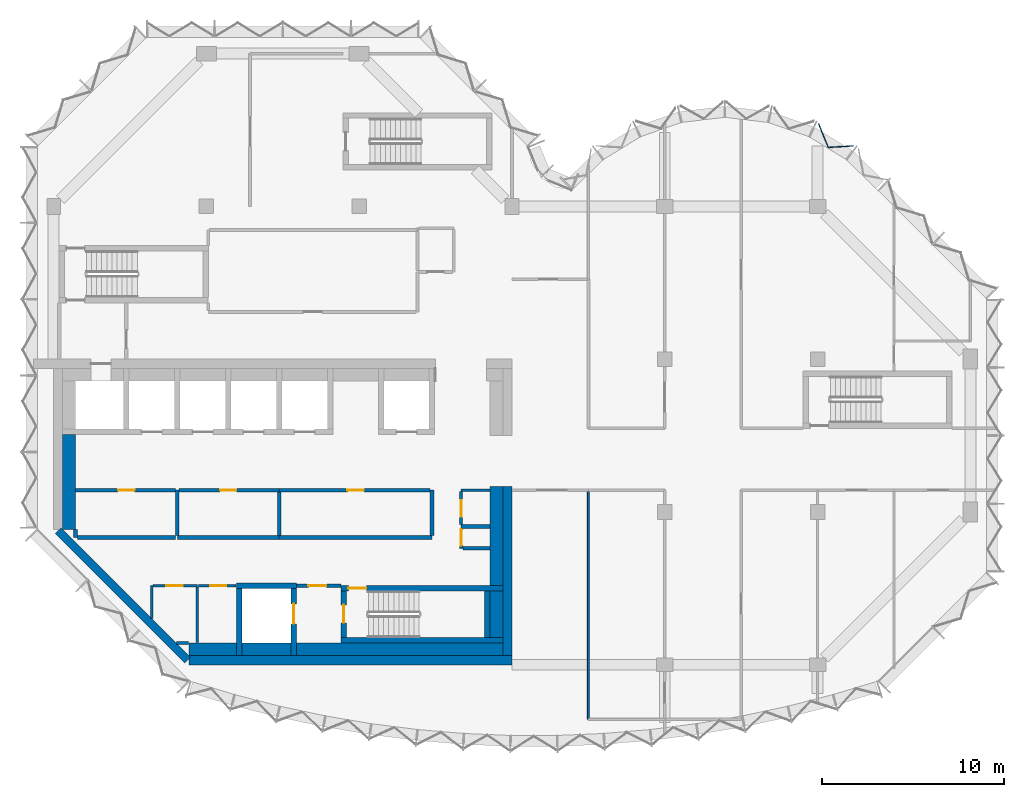
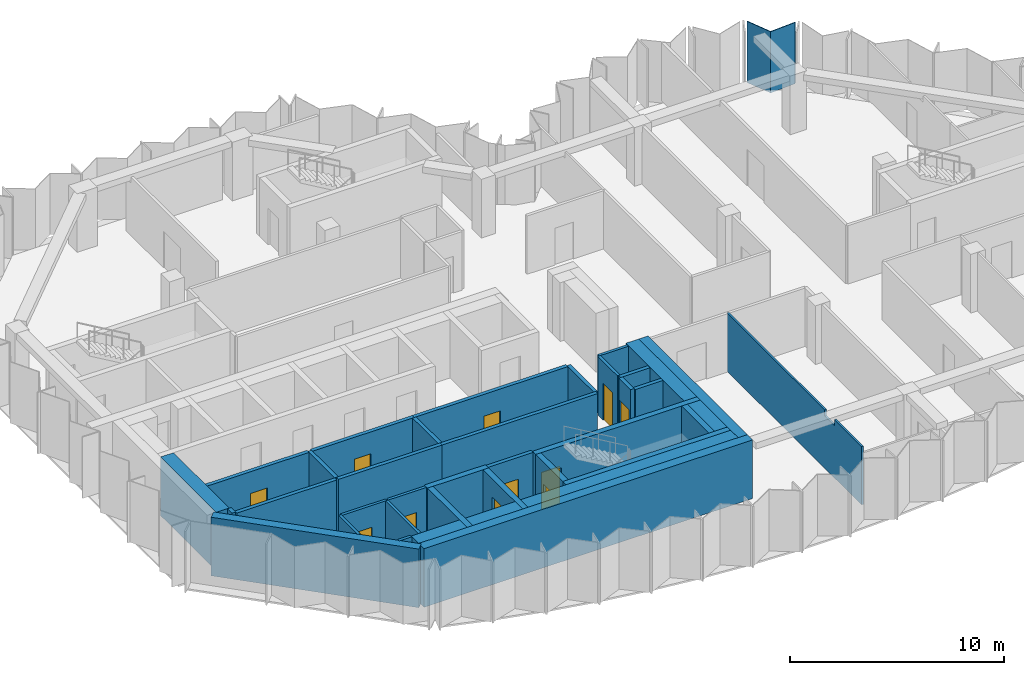
# One storey, part 4 of 9: 38 walls, 11 doors, 1 plate, 11 openings, 1 element without a shape of its own.
"""IFC4 building model written with IfcOpenShell, lengths in metres."""

import ifcopenshell
import ifcopenshell.guid

model = None  # the IFC model being written
_history = None  # IfcOwnerHistory: only IFC2X3 demands one
_inside = {}  # id of a spatial element -> (the spatial element, [elements in it])
_under = {}  # id of a project, library or spatial element -> (it, [spatial elements below it])
_declared = {}  # id of a project -> (the project, [libraries it declares])
_typed = {}  # id of a type object -> (the type object, [elements of that type])
_made_of = {}  # id of a material, layer set ... -> (it, [elements and type objects made of it])


def new_model(schema):
    """Start an empty IFC model of exactly this schema.

    Asked for "IFC4X3", IfcOpenShell would pick the latest addendum, in which some entities
    have other attributes; the version numbers below select the first issue.
    IFC2X3 requires an IfcOwnerHistory on every rooted entity: one is made here for all.
    """
    global model, _history
    if schema == "IFC4X3":
        model = ifcopenshell.file(schema_version=(4, 3, 0, 0))
    else:
        model = ifcopenshell.file(schema=schema)
    _inside.clear()
    _under.clear()
    _declared.clear()
    _typed.clear()
    _made_of.clear()
    _history = None
    if model.schema == "IFC2X3":
        org = make("IfcOrganization", Name="unknown")
        user = make(
            "IfcPersonAndOrganization",
            ThePerson=make("IfcPerson", FamilyName="unknown"),
            TheOrganization=org,
        )
        app = make(
            "IfcApplication",
            ApplicationDeveloper=org,
            Version="unknown",
            ApplicationFullName="unknown",
            ApplicationIdentifier="unknown",
        )
        _history = make(
            "IfcOwnerHistory",
            OwningUser=user,
            OwningApplication=app,
            ChangeAction="ADDED",
            CreationDate=0,
        )
    return model


def make(cls, **values):
    """One entity of the class cls with the attributes given. An attribute that is None is left unset."""
    return model.create_entity(
        cls, **{name: value for name, value in values.items() if value is not None}
    )


def rooted(cls, **values):
    """An entity with a GlobalId (a new one), such as an element, a storey or a relation."""
    return make(cls, GlobalId=ifcopenshell.guid.new(), OwnerHistory=_history, **values)


def si_unit(unit_type, name, prefix=None):
    """IfcSIUnit, for example si_unit("LENGTHUNIT", "METRE", prefix="MILLI")."""
    return make("IfcSIUnit", UnitType=unit_type, Prefix=prefix, Name=name)


def assignment(units):
    """IfcUnitAssignment: the units of a project."""
    return None if units is None else make("IfcUnitAssignment", Units=units)


def point(xyz):
    """IfcCartesianPoint."""
    return None if xyz is None else make("IfcCartesianPoint", Coordinates=xyz)


def direction(xyz):
    """IfcDirection."""
    return None if xyz is None else make("IfcDirection", DirectionRatios=xyz)


def frame(location, z_axis=None, x_axis=None):
    """IfcAxis2Placement3D, a coordinate frame: its origin and axes. An axis left out is left unset."""
    return make(
        "IfcAxis2Placement3D",
        Location=point(location),
        Axis=direction(z_axis),
        RefDirection=direction(x_axis),
    )


def frame_2d(location, x_axis=None):
    """IfcAxis2Placement2D, a coordinate frame in the plane: its origin and x axis."""
    return make(
        "IfcAxis2Placement2D", Location=point(location), RefDirection=direction(x_axis)
    )


def origin():
    """The frame at (0, 0, 0) with its axes left unset."""
    return frame((0.0, 0.0, 0.0))


def place(relative_to, where):
    """IfcLocalPlacement: puts the frame where relative to a parent placement (None: the world)."""
    return make(
        "IfcLocalPlacement", PlacementRelTo=relative_to, RelativePlacement=where
    )


def context(
    kind, dimensions, precision=None, world=None, true_north=None, identifier=None
):
    """IfcGeometricRepresentationContext, for example the 3D "Model" context."""
    return make(
        "IfcGeometricRepresentationContext",
        ContextIdentifier=identifier,
        ContextType=kind,
        CoordinateSpaceDimension=dimensions,
        Precision=precision,
        WorldCoordinateSystem=world,
        TrueNorth=true_north,
    )


def subcontext(parent, identifier, kind, view, scale=None):
    """IfcGeometricRepresentationSubContext, for example "Body" below "Model"."""
    return make(
        "IfcGeometricRepresentationSubContext",
        ContextIdentifier=identifier,
        ContextType=kind,
        ParentContext=parent,
        TargetScale=scale,
        TargetView=view,
    )


def project(units=None, contexts=None):
    """IfcProject with its units and contexts."""
    return rooted(
        "IfcProject",
        Name="project",
        RepresentationContexts=contexts,
        UnitsInContext=assignment(units),
    )


def spatial(cls, under=None, at=None, **own):
    """A site, building, storey or space (cls), placed at a placement, below another one or the project."""
    s = rooted(cls, ObjectPlacement=at, **own)
    if under is not None:
        _under.setdefault(under.id(), (under, []))[1].append(s)
    return s


def polyline(points):
    """IfcPolyline through the points."""
    return make("IfcPolyline", Points=[point(p) for p in points])


def profile(cls, at=None, kind="AREA", **sizes):
    """A parametric profile (cls). Its sizes go by their IFC names, for example OverallWidth=200.0."""
    return make(cls, ProfileType=kind, Position=at, **sizes)


def rectangle(**sizes):
    """IfcRectangleProfileDef."""
    return profile("IfcRectangleProfileDef", **sizes)


def outline(outer, holes=None, kind="AREA"):
    """IfcArbitraryClosedProfileDef: a profile drawn as a closed curve; with holes, ...WithVoids."""
    if holes is None:
        return make("IfcArbitraryClosedProfileDef", ProfileType=kind, OuterCurve=outer)
    return make(
        "IfcArbitraryProfileDefWithVoids",
        ProfileType=kind,
        OuterCurve=outer,
        InnerCurves=holes,
    )


def extrude(swept, where, along, depth):
    """IfcExtrudedAreaSolid: the profile swept, set in the frame where, extruded along a direction by depth."""
    return make(
        "IfcExtrudedAreaSolid",
        SweptArea=swept,
        Position=where,
        ExtrudedDirection=direction(along),
        Depth=depth,
    )


def shape(context_of_items, identifier, shape_type, items):
    """IfcShapeRepresentation: the items that make up one representation, for example the "Body"."""
    return make(
        "IfcShapeRepresentation",
        ContextOfItems=context_of_items,
        RepresentationIdentifier=identifier,
        RepresentationType=shape_type,
        Items=items,
    )


def material(Name=None, Category=None):
    """IfcMaterial."""
    return make("IfcMaterial", Name=Name, Category=Category)


def layer(
    of_material, thickness, ventilated=None, Name=None, Category=None, Priority=None
):
    """IfcMaterialLayer: one layer of a wall or slab, of a material (None: an air gap)."""
    return make(
        "IfcMaterialLayer",
        Material=of_material,
        LayerThickness=thickness,
        IsVentilated=ventilated,
        Name=Name,
        Category=Category,
        Priority=Priority,
    )


def layer_set(layers, Name=None):
    """IfcMaterialLayerSet."""
    return make("IfcMaterialLayerSet", MaterialLayers=layers, LayerSetName=Name)


def made_of(thing, what):
    """Note that an element or type object is made of a material, layer set ...; save() writes the relation."""
    if what is not None:
        _made_of.setdefault(what.id(), (what, []))[1].append(thing)
    return thing


def type_object(cls, material=None, **own):
    """A type object (cls), such as IfcWallType, which elements share."""
    return made_of(rooted(cls, **own), material)


def element(
    cls,
    number,
    at=None,
    inside=None,
    cuts=None,
    type_object=None,
    material=None,
    context=None,
    identifier="Body",
    shape_type=None,
    held_by="IfcProductDefinitionShape",
    body=None,
    shapes=None,
    **own,
):
    """One element of the class cls, such as IfcWall. Its Tag is "e" and its number.

    at: its placement. inside: the storey or other place that contains it. cuts: it is an
    opening in that element (IfcRelVoidsElement). A single representation is given by context,
    identifier, shape_type and body (its items); several are given by shapes. held_by: the class
    of the entity that holds the representations. save() writes the other relations.
    """
    e = rooted(cls, Tag="e%d" % number, ObjectPlacement=at, **own)
    if body is not None:
        shapes = [shape(context, identifier, shape_type, body)]
    if shapes is not None:
        e.Representation = make(held_by, Representations=shapes)
    if inside is not None:
        _inside.setdefault(inside.id(), (inside, []))[1].append(e)
    if cuts is not None:
        rooted(
            "IfcRelVoidsElement", RelatingBuildingElement=cuts, RelatedOpeningElement=e
        )
    if type_object is not None:
        _typed.setdefault(type_object.id(), (type_object, []))[1].append(e)
    return made_of(e, material)


def fill(opening, filler):
    """IfcRelFillsElement: the door or window that sits in an opening."""
    return rooted(
        "IfcRelFillsElement",
        RelatingOpeningElement=opening,
        RelatedBuildingElement=filler,
    )


def aggregate(whole, parts):
    """IfcRelAggregates: a whole, such as a stair, and the parts it consists of."""
    return rooted("IfcRelAggregates", RelatingObject=whole, RelatedObjects=parts)


def save(model, path):
    """Write the relations noted so far, then the file.

    IfcRelAggregates (storeys below a building ...), IfcRelContainedInSpatialStructure (elements
    in a storey), IfcRelDefinesByType, IfcRelAssociatesMaterial and IfcRelDeclares: one each for
    every whole, place, type object, material and project.
    """
    for whole, parts in _under.values():
        aggregate(whole, parts)
    for where, things in _inside.values():
        rooted(
            "IfcRelContainedInSpatialStructure",
            RelatedElements=things,
            RelatingStructure=where,
        )
    for kind, things in _typed.values():
        rooted("IfcRelDefinesByType", RelatedObjects=things, RelatingType=kind)
    for what, things in _made_of.values():
        rooted("IfcRelAssociatesMaterial", RelatedObjects=things, RelatingMaterial=what)
    for by, libraries in _declared.values():
        rooted("IfcRelDeclares", RelatingContext=by, RelatedDefinitions=libraries)
    model.write(path)


model = new_model("IFC4")

# Units and contexts
model_context = context("Model", 3, precision=1e-05, world=origin(), true_north=direction((0.0, 1.0)))
body_context = subcontext(model_context, "Body", "Model", "MODEL_VIEW")
ifc_project = project(units=[si_unit("LENGTHUNIT", "METRE"), si_unit("AREAUNIT", "SQUARE_METRE"), si_unit("VOLUMEUNIT", "CUBIC_METRE"), si_unit("PLANEANGLEUNIT", "RADIAN"), si_unit("MASSUNIT", "GRAM", prefix="KILO")], contexts=[model_context])

# Site, building, storey
site_placement = place(None, origin())
site = spatial("IfcSite", under=ifc_project, at=site_placement, CompositionType="ELEMENT")
building_placement = place(site_placement, origin())
building = spatial("IfcBuilding", under=site, at=building_placement, Name="Brevane Broadcast Tower", CompositionType="ELEMENT")
storey_placement = place(building_placement, frame((0.0, 0.0, 215.699951171875)))
storey = spatial("IfcBuildingStorey", under=building, at=storey_placement, Name="L54", CompositionType="ELEMENT", Elevation=215.699951171875)

# Curtain wall, plate
ifc_material_1 = material(Name="Aluminium 6063-T6 bronze anodised", Category="aluminium")
curtain_wall_type = type_object("IfcCurtainWallType", Name="CW-1 curtain wall", PredefinedType="NOTDEFINED", material=ifc_material_1)
curtain_wall_placement = place(storey_placement, origin())
curtain_wall = element("IfcCurtainWall", 1, at=curtain_wall_placement, inside=storey, type_object=curtain_wall_type, Name="CW-1 typical tilted unit L54 east bow", PredefinedType="NOTDEFINED")
ifc_material_2 = material(Name="Laminated glass bronze-tinted", Category="glass")
ifc_layer_1 = layer(ifc_material_2, 0.0400390625)
ifc_layer_set_1 = layer_set([ifc_layer_1], Name="CW tall glass panel 40")
plate_type = type_object("IfcPlateType", Name="CW tall glass panel 40", PredefinedType="CURTAIN_PANEL", material=ifc_layer_set_1)
plate_placement = place(storey_placement, frame((0.0, 0.0, -0.14990234375)))
plate = element("IfcPlate", 2, at=plate_placement, type_object=plate_type, Name="CW-1 glass panel", PredefinedType="CURTAIN_PANEL", context=body_context, shape_type="SweptSolid", body=[
    extrude(outline(polyline([(43.950439453125, 28.5087890625), (43.9833984375, 28.551025390625), (42.601318359375, 28.462890625), (42.0703125, 29.76171875), (42.046875, 29.712890625), (42.5751953125, 28.42138671875), (43.950439453125, 28.5087890625)])), origin(), (0.0, 0.0, 1.0), 3.5),
])
aggregate(curtain_wall, [plate])

# Walls
ifc_material_3 = material(Name="Concrete C32/40", Category="concrete")
ifc_layer_2 = layer(ifc_material_3, 0.699951171875)
ifc_layer_set_2 = layer_set([ifc_layer_2], Name="Core chase wall 700 mm")
wall_type_1 = type_object("IfcWallType", Name="Core chase wall 700 mm", PredefinedType="PARTITIONING", material=ifc_layer_set_2)
wall_1_placement = place(storey_placement, frame((0.85009765625, 7.436279296875, 0.0), z_axis=(0.0, 0.0, 1.0), x_axis=(0.0, 1.0, 0.0)))
element("IfcWall", 3, at=wall_1_placement, inside=storey, type_object=wall_type_1, Name="L54 chase wall LW-1", PredefinedType="PARTITIONING", context=body_context, shape_type="SweptSolid", body=[
    extrude(rectangle(XDim=5.213623046875, YDim=0.699951171875, at=frame_2d((2.60693359375, 0.0))), origin(), (0.0, 0.0, 1.0), 3.35009765625),
])
wall_2_placement = place(storey_placement, frame((7.436279296875, 0.85009765625, 0.0), z_axis=(0.0, 0.0, 1.0), x_axis=(1.0, 0.0, 0.0)))
element("IfcWall", 4, at=wall_2_placement, inside=storey, type_object=wall_type_1, Name="L54 chase wall LS-1", PredefinedType="PARTITIONING", context=body_context, shape_type="SweptSolid", body=[
    extrude(rectangle(XDim=2.61376953125, YDim=0.699951171875, at=frame_2d((1.306884765625, 0.0))), origin(), (0.0, 0.0, 1.0), 3.35009765625),
])
wall_3_placement = place(storey_placement, frame((10.35009765625, 0.85009765625, 0.0), z_axis=(0.0, 0.0, 1.0), x_axis=(1.0, 0.0, 0.0)))
element("IfcWall", 5, at=wall_3_placement, inside=storey, type_object=wall_type_1, Name="L54 chase wall LS-2-1", PredefinedType="PARTITIONING", context=body_context, shape_type="SweptSolid", body=[
    extrude(rectangle(XDim=2.699951171875, YDim=0.699951171875, at=frame_2d((1.35009765625, 0.0))), origin(), (0.0, 0.0, 1.0), 3.35009765625),
])
wall_4_placement = place(storey_placement, frame((13.35009765625, 0.85009765625, 0.0), z_axis=(0.0, 0.0, 1.0), x_axis=(1.0, 0.0, 0.0)))
element("IfcWall", 6, at=wall_4_placement, inside=storey, type_object=wall_type_1, Name="L54 chase wall LS-2-2", PredefinedType="PARTITIONING", context=body_context, shape_type="SweptSolid", body=[
    extrude(rectangle(XDim=11.349853515625, YDim=0.699951171875, at=frame_2d((5.6748046875, 0.0))), origin(), (0.0, 0.0, 1.0), 3.35009765625),
])
wall_5_placement = place(storey_placement, frame((24.35009765625, 1.5, 0.0), z_axis=(0.0, 0.0, 1.0), x_axis=(0.0, 1.0, 0.0)))
element("IfcWall", 7, at=wall_5_placement, inside=storey, type_object=wall_type_1, Name="L54 chase wall LE1-2-1", PredefinedType="PARTITIONING", context=body_context, shape_type="SweptSolid", body=[
    extrude(rectangle(XDim=2.550048828125, YDim=0.699951171875, at=frame_2d((1.27490234375, 0.0))), origin(), (0.0, 0.0, 1.0), 3.35009765625),
])
wall_6_placement = place(storey_placement, frame((24.35009765625, 4.35009765625, 0.0), z_axis=(0.0, 0.0, 1.0), x_axis=(0.0, 1.0, 0.0)))
element("IfcWall", 8, at=wall_6_placement, inside=storey, type_object=wall_type_1, Name="L54 chase wall LE1-2-2", PredefinedType="PARTITIONING", context=body_context, shape_type="SweptSolid", body=[
    extrude(rectangle(XDim=5.449951171875, YDim=0.699951171875, at=frame_2d((2.72509765625, 0.0))), origin(), (0.0, 0.0, 1.0), 3.35009765625),
])
ifc_material_4 = material(Name="Gypsum board on steel studs", Category="steel")
ifc_layer_3 = layer(ifc_material_4, 0.14990234375)
ifc_layer_set_3 = layer_set([ifc_layer_3], Name="Core fire partition 150 mm")
wall_type_2 = type_object("IfcWallType", Name="Core fire partition 150 mm", PredefinedType="PARTITIONING", material=ifc_layer_set_3)
wall_7_placement = place(storey_placement, frame((5.39990234375, 2.553466796875, 0.0), z_axis=(0.0, 0.0, 1.0), x_axis=(0.0, 1.0, 0.0)))
element("IfcWall", 9, at=wall_7_placement, inside=storey, type_object=wall_type_2, Name="L54 partition wall P17", PredefinedType="PARTITIONING", context=body_context, shape_type="SweptSolid", body=[
    extrude(rectangle(XDim=1.796630859375, YDim=0.14990234375, at=frame_2d((0.8984375, 0.0))), origin(), (0.0, 0.0, 1.0), 3.35009765625),
])

# Wall, opening, door
wall_8_placement = place(storey_placement, frame((5.47509765625, 4.35009765625, 0.0), z_axis=(0.0, 0.0, 1.0), x_axis=(1.0, 0.0, 0.0)))
wall_8 = element("IfcWall", 10, at=wall_8_placement, inside=storey, type_object=wall_type_2, Name="L54 partition wall P18", PredefinedType="PARTITIONING", context=body_context, shape_type="SweptSolid", body=[
    extrude(rectangle(XDim=2.4248046875, YDim=0.14990234375, at=frame_2d((1.21240234375, 0.0))), origin(), (0.0, 0.0, 1.0), 3.35009765625),
])
opening_1_placement = place(wall_8_placement, frame((0.72509765625, 0.0, 0.0)))
opening_1 = element("IfcOpeningElement", 11, at=opening_1_placement, cuts=wall_8, Name="Opening L54-K14", PredefinedType="OPENING", context=body_context, shape_type="SweptSolid", body=[
    extrude(rectangle(XDim=0.89990234375, YDim=2.10009765625, at=frame_2d((0.449951171875, 1.050048828125))), frame((0.0, 0.0849609375, 0.0), z_axis=(0.0, -1.0, 0.0), x_axis=(1.0, 0.0, 0.0)), (0.0, 0.0, 1.0), 0.169921875),
])
ifc_material_5 = material(Name="Timber", Category="wood")
door_type_1 = type_object("IfcDoorType", Name="Toilet door 900 x 2100", OperationType="SINGLE_SWING_LEFT", PredefinedType="DOOR", material=ifc_material_5)
door_1_placement = place(opening_1_placement, origin())
door_1 = element("IfcDoor", 12, at=door_1_placement, inside=storey, type_object=door_type_1, Name="Door L54-K14", OperationType="SINGLE_SWING_LEFT", OverallHeight=2.10009765625, OverallWidth=0.89990234375, PredefinedType="DOOR", context=body_context, shape_type="SweptSolid", body=[
    extrude(rectangle(XDim=0.89990234375, YDim=2.10009765625, at=frame_2d((0.449951171875, 1.050048828125))), frame((0.0, 0.02490234375, 0.0), z_axis=(0.0, -1.0, 0.0), x_axis=(1.0, 0.0, 0.0)), (0.0, 0.0, 1.0), 0.050048828125),
])
fill(opening_1, door_1)

# Walls
wall_9_placement = place(storey_placement, frame((7.89990234375, 4.27490234375, 0.0), z_axis=(0.0, 0.0, 1.0), x_axis=(0.0, -1.0, 0.0)))
element("IfcWall", 13, at=wall_9_placement, inside=storey, type_object=wall_type_2, Name="L54 partition wall P19", PredefinedType="PARTITIONING", context=body_context, shape_type="SweptSolid", body=[
    extrude(rectangle(XDim=3.06298828125, YDim=0.14990234375, at=frame_2d((1.531494140625, 0.0))), origin(), (0.0, 0.0, 1.0), 3.35009765625),
])
wall_10_placement = place(storey_placement, frame((7.42431640625, 1.199951171875, 0.0), z_axis=(0.0, 0.0, 1.0), x_axis=(-1.0, 0.0, 0.0)))
element("IfcWall", 14, at=wall_10_placement, inside=storey, type_object=wall_type_2, Name="L54 partition wall P20", PredefinedType="PARTITIONING", context=body_context, shape_type="SweptSolid", body=[
    extrude(rectangle(XDim=0.6708984375, YDim=0.14990234375, at=frame_2d((0.33544921875, 0.0))), origin(), (0.0, 0.0, 1.0), 3.35009765625),
])

# Wall, opening, door
wall_11_placement = place(storey_placement, frame((10.0380859375, 4.35009765625, 0.0), z_axis=(0.0, 0.0, 1.0), x_axis=(-1.0, 0.0, 0.0)))
wall_11 = element("IfcWall", 15, at=wall_11_placement, inside=storey, type_object=wall_type_2, Name="L54 partition wall P21", PredefinedType="PARTITIONING", context=body_context, shape_type="SweptSolid", body=[
    extrude(rectangle(XDim=2.06298828125, YDim=0.14990234375, at=frame_2d((1.031494140625, 0.0))), origin(), (0.0, 0.0, 1.0), 3.35009765625),
])
opening_2_placement = place(wall_11_placement, frame((0.5380859375, 0.0, 0.0)))
opening_2 = element("IfcOpeningElement", 16, at=opening_2_placement, cuts=wall_11, Name="Opening L54-K15", PredefinedType="OPENING", context=body_context, shape_type="SweptSolid", body=[
    extrude(rectangle(XDim=0.89990234375, YDim=2.10009765625, at=frame_2d((0.449951171875, 1.050048828125))), frame((0.0, 0.0849609375, 0.0), z_axis=(0.0, -1.0, 0.0), x_axis=(1.0, 0.0, 0.0)), (0.0, 0.0, 1.0), 0.169921875),
])
door_2_placement = place(opening_2_placement, origin())
door_2 = element("IfcDoor", 17, at=door_2_placement, inside=storey, type_object=door_type_1, Name="Door L54-K15", OperationType="SINGLE_SWING_RIGHT", OverallHeight=2.10009765625, OverallWidth=0.89990234375, PredefinedType="DOOR", context=body_context, shape_type="SweptSolid", body=[
    extrude(rectangle(XDim=0.89990234375, YDim=2.10009765625, at=frame_2d((0.449951171875, 1.050048828125))), frame((0.0, 0.02490234375, 0.0), z_axis=(0.0, -1.0, 0.0), x_axis=(1.0, 0.0, 0.0)), (0.0, 0.0, 1.0), 0.050048828125),
])
fill(opening_2, door_2)

# Wall
wall_12_placement = place(storey_placement, frame((23.988037109375, 9.60009765625, 0.0), z_axis=(0.0, 0.0, 1.0), x_axis=(-1.0, 0.0, 0.0)))
element("IfcWall", 18, at=wall_12_placement, inside=storey, type_object=wall_type_2, Name="L54 partition wall P32", PredefinedType="PARTITIONING", context=body_context, shape_type="SweptSolid", body=[
    extrude(rectangle(XDim=1.588134765625, YDim=0.14990234375, at=frame_2d((0.7939453125, 0.0))), origin(), (0.0, 0.0, 1.0), 3.35009765625),
])

# Wall, opening, door
wall_13_placement = place(storey_placement, frame((22.39990234375, 9.52490234375, 0.0), z_axis=(0.0, 0.0, 1.0), x_axis=(0.0, -1.0, 0.0)))
wall_13 = element("IfcWall", 19, at=wall_13_placement, inside=storey, type_object=wall_type_2, Name="L54 partition wall P33", PredefinedType="PARTITIONING", context=body_context, shape_type="SweptSolid", body=[
    extrude(rectangle(XDim=1.824951171875, YDim=0.14990234375, at=frame_2d((0.91259765625, 0.0))), origin(), (0.0, 0.0, 1.0), 3.35009765625),
])
opening_3_placement = place(wall_13_placement, frame((0.47509765625, 0.0, 0.0)))
opening_3 = element("IfcOpeningElement", 20, at=opening_3_placement, cuts=wall_13, Name="Opening L54-K18", PredefinedType="OPENING", context=body_context, shape_type="SweptSolid", body=[
    extrude(rectangle(XDim=0.89990234375, YDim=2.10009765625, at=frame_2d((0.449951171875, 1.050048828125))), frame((0.0, 0.0849609375, 0.0), z_axis=(0.0, -1.0, 0.0), x_axis=(1.0, 0.0, 0.0)), (0.0, 0.0, 1.0), 0.169921875),
])
ifc_material_6 = material(Name="Steel", Category="steel")
door_type_2 = type_object("IfcDoorType", Name="Service room door 900 x 2100", OperationType="SINGLE_SWING_LEFT", PredefinedType="DOOR", material=ifc_material_6)
door_3_placement = place(opening_3_placement, origin())
door_3 = element("IfcDoor", 21, at=door_3_placement, inside=storey, type_object=door_type_2, Name="Door L54-K18", OperationType="SINGLE_SWING_LEFT", OverallHeight=2.10009765625, OverallWidth=0.89990234375, PredefinedType="DOOR", context=body_context, shape_type="SweptSolid", body=[
    extrude(rectangle(XDim=0.89990234375, YDim=2.10009765625, at=frame_2d((0.449951171875, 1.050048828125))), frame((0.0, 0.02490234375, 0.0), z_axis=(0.0, -1.0, 0.0), x_axis=(1.0, 0.0, 0.0)), (0.0, 0.0, 1.0), 0.050048828125),
])
fill(opening_3, door_3)

ifc_layer_4 = layer(ifc_material_4, 0.199951171875)
ifc_layer_set_4 = layer_set([ifc_layer_4], Name="Core fire partition 200 mm")
wall_type_3 = type_object("IfcWallType", Name="Core fire partition 200 mm", PredefinedType="PARTITIONING", material=ifc_layer_set_4)
wall_14_placement = place(storey_placement, frame((13.362060546875, 4.35009765625, 0.0), z_axis=(0.0, 0.0, 1.0), x_axis=(1.0, 0.0, 0.0)))
wall_14 = element("IfcWall", 22, at=wall_14_placement, inside=storey, type_object=wall_type_3, Name="L54 partition wall P03", PredefinedType="PARTITIONING", context=body_context, shape_type="SweptSolid", body=[
    extrude(rectangle(XDim=2.426025390625, YDim=0.199951171875, at=frame_2d((1.212890625, 0.0))), origin(), (0.0, 0.0, 1.0), 3.35009765625),
])
opening_4_placement = place(wall_14_placement, frame((0.637939453125, 0.0, 0.0)))
opening_4 = element("IfcOpeningElement", 23, at=opening_4_placement, cuts=wall_14, Name="Opening L54-K16", PredefinedType="OPENING", context=body_context, shape_type="SweptSolid", body=[
    extrude(rectangle(XDim=1.0, YDim=2.10009765625, at=frame_2d((0.5, 1.050048828125))), frame((0.0, 0.10986328125, 0.0), z_axis=(0.0, -1.0, 0.0), x_axis=(1.0, 0.0, 0.0)), (0.0, 0.0, 1.0), 0.219970703125),
])
door_type_3 = type_object("IfcDoorType", Name="Stair door 1000 x 2100", OperationType="SINGLE_SWING_LEFT", PredefinedType="DOOR", material=ifc_material_6)
door_4_placement = place(opening_4_placement, origin())
door_4 = element("IfcDoor", 24, at=door_4_placement, inside=storey, type_object=door_type_3, Name="Door L54-K16", OperationType="SINGLE_SWING_LEFT", OverallHeight=2.10009765625, OverallWidth=1.0, PredefinedType="DOOR", context=body_context, shape_type="SweptSolid", body=[
    extrude(rectangle(XDim=1.0, YDim=2.10009765625, at=frame_2d((0.5, 1.050048828125))), frame((0.0, 0.02490234375, 0.0), z_axis=(0.0, -1.0, 0.0), x_axis=(1.0, 0.0, 0.0)), (0.0, 0.0, 1.0), 0.050048828125),
])
fill(opening_4, door_4)

# Walls
wall_15_placement = place(storey_placement, frame((6.800048828125, 7.0, 0.0), z_axis=(0.0, 0.0, 1.0), x_axis=(1.0, 0.0, 0.0)))
element("IfcWall", 25, at=wall_15_placement, inside=storey, type_object=wall_type_3, Name="L54 partition wall P04", PredefinedType="PARTITIONING", context=body_context, shape_type="SweptSolid", body=[
    extrude(rectangle(XDim=5.599853515625, YDim=0.199951171875, at=frame_2d((2.7998046875, 0.0))), origin(), (0.0, 0.0, 1.0), 3.35009765625),
])
wall_16_placement = place(storey_placement, frame((6.800048828125, 9.60009765625, 0.0), z_axis=(0.0, 0.0, 1.0), x_axis=(0.0, -1.0, 0.0)))
element("IfcWall", 26, at=wall_16_placement, inside=storey, type_object=wall_type_3, Name="L54 partition wall P05", PredefinedType="PARTITIONING", context=body_context, shape_type="SweptSolid", body=[
    extrude(rectangle(XDim=2.5, YDim=0.199951171875, at=frame_2d((1.25, 0.0))), origin(), (0.0, 0.0, 1.0), 3.35009765625),
])

# Wall, opening, door
wall_17_placement = place(storey_placement, frame((6.699951171875, 9.60009765625, 0.0), z_axis=(0.0, 0.0, 1.0), x_axis=(-1.0, 0.0, 0.0)))
wall_17 = element("IfcWall", 27, at=wall_17_placement, inside=storey, type_object=wall_type_3, Name="L54 partition wall P06", PredefinedType="PARTITIONING", context=body_context, shape_type="SweptSolid", body=[
    extrude(rectangle(XDim=5.488037109375, YDim=0.199951171875, at=frame_2d((2.744140625, 0.0))), origin(), (0.0, 0.0, 1.0), 3.35009765625),
])
opening_5_placement = place(wall_17_placement, frame((2.25, 0.0, 0.0)))
opening_5 = element("IfcOpeningElement", 28, at=opening_5_placement, cuts=wall_17, Name="Opening L54-K19", PredefinedType="OPENING", context=body_context, shape_type="SweptSolid", body=[
    extrude(rectangle(XDim=0.89990234375, YDim=2.10009765625, at=frame_2d((0.449951171875, 1.050048828125))), frame((0.0, 0.10986328125, 0.0), z_axis=(0.0, -1.0, 0.0), x_axis=(1.0, 0.0, 0.0)), (0.0, 0.0, 1.0), 0.219970703125),
])
door_5_placement = place(opening_5_placement, origin())
door_5 = element("IfcDoor", 29, at=door_5_placement, inside=storey, type_object=door_type_2, Name="Door L54-K19", OperationType="SINGLE_SWING_RIGHT", OverallHeight=2.10009765625, OverallWidth=0.89990234375, PredefinedType="DOOR", context=body_context, shape_type="SweptSolid", body=[
    extrude(rectangle(XDim=0.89990234375, YDim=2.10009765625, at=frame_2d((0.449951171875, 1.050048828125))), frame((0.0, 0.02490234375, 0.0), z_axis=(0.0, -1.0, 0.0), x_axis=(1.0, 0.0, 0.0)), (0.0, 0.0, 1.0), 0.050048828125),
])
fill(opening_5, door_5)

# Walls
wall_18_placement = place(storey_placement, frame((1.199951171875, 7.42431640625, 0.0), z_axis=(0.0, 0.0, 1.0), x_axis=(0.0, -1.0, 0.0)))
element("IfcWall", 30, at=wall_18_placement, inside=storey, type_object=wall_type_3, Name="L54 partition wall P07", PredefinedType="PARTITIONING", context=body_context, shape_type="SweptSolid", body=[
    extrude(rectangle(XDim=0.42431640625, YDim=0.199951171875, at=frame_2d((0.212158203125, 0.0))), origin(), (0.0, 0.0, 1.0), 3.35009765625),
])
wall_19_placement = place(storey_placement, frame((1.300048828125, 7.0, 0.0), z_axis=(0.0, 0.0, 1.0), x_axis=(1.0, 0.0, 0.0)))
element("IfcWall", 31, at=wall_19_placement, inside=storey, type_object=wall_type_3, Name="L54 partition wall P08", PredefinedType="PARTITIONING", context=body_context, shape_type="SweptSolid", body=[
    extrude(rectangle(XDim=5.39990234375, YDim=0.199951171875, at=frame_2d((2.699951171875, 0.0))), origin(), (0.0, 0.0, 1.0), 3.35009765625),
])

# Wall, opening, door
wall_20_placement = place(storey_placement, frame((12.39990234375, 9.60009765625, 0.0), z_axis=(0.0, 0.0, 1.0), x_axis=(-1.0, 0.0, 0.0)))
wall_20 = element("IfcWall", 32, at=wall_20_placement, inside=storey, type_object=wall_type_3, Name="L54 partition wall P09", PredefinedType="PARTITIONING", context=body_context, shape_type="SweptSolid", body=[
    extrude(rectangle(XDim=5.5, YDim=0.199951171875, at=frame_2d((2.75, 0.0))), origin(), (0.0, 0.0, 1.0), 3.35009765625),
])
opening_6_placement = place(wall_20_placement, frame((2.35009765625, 0.0, 0.0)))
opening_6 = element("IfcOpeningElement", 33, at=opening_6_placement, cuts=wall_20, Name="Opening L54-K20", PredefinedType="OPENING", context=body_context, shape_type="SweptSolid", body=[
    extrude(rectangle(XDim=0.89990234375, YDim=2.10009765625, at=frame_2d((0.449951171875, 1.050048828125))), frame((0.0, 0.10986328125, 0.0), z_axis=(0.0, -1.0, 0.0), x_axis=(1.0, 0.0, 0.0)), (0.0, 0.0, 1.0), 0.219970703125),
])
door_6_placement = place(opening_6_placement, origin())
door_6 = element("IfcDoor", 34, at=door_6_placement, inside=storey, type_object=door_type_2, Name="Door L54-K20", OperationType="SINGLE_SWING_LEFT", OverallHeight=2.10009765625, OverallWidth=0.89990234375, PredefinedType="DOOR", context=body_context, shape_type="SweptSolid", body=[
    extrude(rectangle(XDim=0.89990234375, YDim=2.10009765625, at=frame_2d((0.449951171875, 1.050048828125))), frame((0.0, 0.02490234375, 0.0), z_axis=(0.0, -1.0, 0.0), x_axis=(1.0, 0.0, 0.0)), (0.0, 0.0, 1.0), 0.050048828125),
])
fill(opening_6, door_6)

# Walls
wall_21_placement = place(storey_placement, frame((12.39990234375, 7.0, 0.0), z_axis=(0.0, 0.0, 1.0), x_axis=(1.0, 0.0, 0.0)))
element("IfcWall", 35, at=wall_21_placement, inside=storey, type_object=wall_type_3, Name="L54 partition wall P10", PredefinedType="PARTITIONING", context=body_context, shape_type="SweptSolid", body=[
    extrude(rectangle(XDim=8.400146484375, YDim=0.199951171875, at=frame_2d((4.2001953125, 0.0))), origin(), (0.0, 0.0, 1.0), 3.35009765625),
])
wall_22_placement = place(storey_placement, frame((20.800048828125, 7.10009765625, 0.0), z_axis=(0.0, 0.0, 1.0), x_axis=(0.0, 1.0, 0.0)))
element("IfcWall", 36, at=wall_22_placement, inside=storey, type_object=wall_type_3, Name="L54 partition wall P11", PredefinedType="PARTITIONING", context=body_context, shape_type="SweptSolid", body=[
    extrude(rectangle(XDim=2.5, YDim=0.199951171875, at=frame_2d((1.25, 0.0))), origin(), (0.0, 0.0, 1.0), 3.35009765625),
])

# Wall, opening, door
wall_23_placement = place(storey_placement, frame((20.699951171875, 9.60009765625, 0.0), z_axis=(0.0, 0.0, 1.0), x_axis=(-1.0, 0.0, 0.0)))
wall_23 = element("IfcWall", 37, at=wall_23_placement, inside=storey, type_object=wall_type_3, Name="L54 partition wall P12", PredefinedType="PARTITIONING", context=body_context, shape_type="SweptSolid", body=[
    extrude(rectangle(XDim=8.300048828125, YDim=0.199951171875, at=frame_2d((4.14990234375, 0.0))), origin(), (0.0, 0.0, 1.0), 3.35009765625),
])
opening_7_placement = place(wall_23_placement, frame((3.64990234375, 0.0, 0.0)))
opening_7 = element("IfcOpeningElement", 38, at=opening_7_placement, cuts=wall_23, Name="Opening L54-K21", PredefinedType="OPENING", context=body_context, shape_type="SweptSolid", body=[
    extrude(rectangle(XDim=0.89990234375, YDim=2.10009765625, at=frame_2d((0.449951171875, 1.050048828125))), frame((0.0, 0.10986328125, 0.0), z_axis=(0.0, -1.0, 0.0), x_axis=(1.0, 0.0, 0.0)), (0.0, 0.0, 1.0), 0.219970703125),
])
door_7_placement = place(opening_7_placement, origin())
door_7 = element("IfcDoor", 39, at=door_7_placement, inside=storey, type_object=door_type_2, Name="Door L54-K21", OperationType="SINGLE_SWING_RIGHT", OverallHeight=2.10009765625, OverallWidth=0.89990234375, PredefinedType="DOOR", context=body_context, shape_type="SweptSolid", body=[
    extrude(rectangle(XDim=0.89990234375, YDim=2.10009765625, at=frame_2d((0.449951171875, 1.050048828125))), frame((0.0, 0.02490234375, 0.0), z_axis=(0.0, -1.0, 0.0), x_axis=(1.0, 0.0, 0.0)), (0.0, 0.0, 1.0), 0.050048828125),
])
fill(opening_7, door_7)

# Walls
wall_24_placement = place(storey_placement, frame((12.39990234375, 9.5, 0.0), z_axis=(0.0, 0.0, 1.0), x_axis=(0.0, -1.0, 0.0)))
element("IfcWall", 40, at=wall_24_placement, inside=storey, type_object=wall_type_3, Name="L54 partition wall P13", PredefinedType="PARTITIONING", context=body_context, shape_type="SweptSolid", body=[
    extrude(rectangle(XDim=2.39990234375, YDim=0.199951171875, at=frame_2d((1.199951171875, 0.0))), origin(), (0.0, 0.0, 1.0), 3.35009765625),
])
wall_25_placement = place(storey_placement, frame((23.988037109375, 7.60009765625, 0.0), z_axis=(0.0, 0.0, 1.0), x_axis=(-1.0, 0.0, 0.0)))
element("IfcWall", 41, at=wall_25_placement, inside=storey, type_object=wall_type_3, Name="L54 partition wall P14", PredefinedType="PARTITIONING", context=body_context, shape_type="SweptSolid", body=[
    extrude(rectangle(XDim=1.588134765625, YDim=0.199951171875, at=frame_2d((0.7939453125, 0.0))), origin(), (0.0, 0.0, 1.0), 3.35009765625),
])

# Wall, opening, door
wall_26_placement = place(storey_placement, frame((22.39990234375, 7.5, 0.0), z_axis=(0.0, 0.0, 1.0), x_axis=(0.0, -1.0, 0.0)))
wall_26 = element("IfcWall", 42, at=wall_26_placement, inside=storey, type_object=wall_type_3, Name="L54 partition wall P15", PredefinedType="PARTITIONING", context=body_context, shape_type="SweptSolid", body=[
    extrude(rectangle(XDim=1.10009765625, YDim=0.199951171875, at=frame_2d((0.550048828125, 0.0))), origin(), (0.0, 0.0, 1.0), 3.35009765625),
])
opening_8_placement = place(wall_26_placement, frame((0.050048828125, 0.0, 0.0)))
opening_8 = element("IfcOpeningElement", 43, at=opening_8_placement, cuts=wall_26, Name="Opening L54-K17", PredefinedType="OPENING", context=body_context, shape_type="SweptSolid", body=[
    extrude(rectangle(XDim=0.89990234375, YDim=2.10009765625, at=frame_2d((0.449951171875, 1.050048828125))), frame((0.0, 0.10986328125, 0.0), z_axis=(0.0, -1.0, 0.0), x_axis=(1.0, 0.0, 0.0)), (0.0, 0.0, 1.0), 0.219970703125),
])
door_8_placement = place(opening_8_placement, origin())
door_8 = element("IfcDoor", 44, at=door_8_placement, inside=storey, type_object=door_type_2, Name="Door L54-K17", OperationType="SINGLE_SWING_RIGHT", OverallHeight=2.10009765625, OverallWidth=0.89990234375, PredefinedType="DOOR", context=body_context, shape_type="SweptSolid", body=[
    extrude(rectangle(XDim=0.89990234375, YDim=2.10009765625, at=frame_2d((0.449951171875, 1.050048828125))), frame((0.0, 0.02490234375, 0.0), z_axis=(0.0, -1.0, 0.0), x_axis=(1.0, 0.0, 0.0)), (0.0, 0.0, 1.0), 0.050048828125),
])
fill(opening_8, door_8)

# Walls
wall_27_placement = place(storey_placement, frame((22.5, 6.39990234375, 0.0), z_axis=(0.0, 0.0, 1.0), x_axis=(1.0, 0.0, 0.0)))
element("IfcWall", 45, at=wall_27_placement, inside=storey, type_object=wall_type_3, Name="L54 partition wall P16", PredefinedType="PARTITIONING", context=body_context, shape_type="SweptSolid", body=[
    extrude(rectangle(XDim=1.488037109375, YDim=0.199951171875, at=frame_2d((0.744140625, 0.0))), origin(), (0.0, 0.0, 1.0), 3.35009765625),
])
ifc_material_7 = material(Name="Concrete C50/60", Category="concrete")
ifc_layer_5 = layer(ifc_material_7, 0.300048828125)
ifc_layer_set_5 = layer_set([ifc_layer_5], Name="Core wall 300 mm C50/60")
wall_type_4 = type_object("IfcWallType", Name="Core wall 300 mm C50/60", PredefinedType="SHEAR", material=ifc_layer_set_5)
wall_28_placement = place(storey_placement, frame((10.199951171875, 0.5, 0.0), z_axis=(0.0, 0.0, 1.0), x_axis=(0.0, 1.0, 0.0)))
element("IfcWall", 46, at=wall_28_placement, inside=storey, type_object=wall_type_4, Name="L54 shaft wall FF2-W", PredefinedType="SHEAR", context=body_context, shape_type="SweptSolid", body=[
    extrude(rectangle(XDim=3.699951171875, YDim=0.300048828125, at=frame_2d((1.85009765625, 0.0))), origin(), (0.0, 0.0, 1.0), 3.35009765625),
])

# Wall, opening, door
wall_29_placement = place(storey_placement, frame((13.199951171875, 0.5, 0.0), z_axis=(0.0, 0.0, 1.0), x_axis=(0.0, 1.0, 0.0)))
wall_29 = element("IfcWall", 47, at=wall_29_placement, inside=storey, type_object=wall_type_4, Name="L54 shaft wall FF2-E", PredefinedType="SHEAR", context=body_context, shape_type="SweptSolid", body=[
    extrude(rectangle(XDim=3.699951171875, YDim=0.300048828125, at=frame_2d((1.85009765625, 0.0))), origin(), (0.0, 0.0, 1.0), 3.35009765625),
])
opening_9_placement = place(wall_29_placement, frame((1.75, 0.0, 0.0)))
opening_9 = element("IfcOpeningElement", 48, at=opening_9_placement, cuts=wall_29, Name="Opening LD", PredefinedType="OPENING", context=body_context, shape_type="SweptSolid", body=[
    extrude(rectangle(XDim=1.10009765625, YDim=2.300048828125, at=frame_2d((0.550048828125, 1.14990234375))), frame((0.0, 0.159912109375, 0.0), z_axis=(0.0, -1.0, 0.0), x_axis=(1.0, 0.0, 0.0)), (0.0, 0.0, 1.0), 0.320068359375),
])
ifc_material_8 = material(Name="Stainless steel", Category="steel")
door_type_4 = type_object("IfcDoorType", Name="Lift landing door", OperationType="SLIDING_TO_LEFT", PredefinedType="DOOR", material=ifc_material_8)
door_9_placement = place(opening_9_placement, origin())
door_9 = element("IfcDoor", 49, at=door_9_placement, inside=storey, type_object=door_type_4, Name="Landing door FF2 L54", OperationType="SLIDING_TO_LEFT", OverallHeight=2.300048828125, OverallWidth=1.10009765625, PredefinedType="DOOR", context=body_context, shape_type="SweptSolid", body=[
    extrude(rectangle(XDim=1.10009765625, YDim=2.300048828125, at=frame_2d((0.550048828125, 1.14990234375))), frame((0.0, 0.02490234375, 0.0), z_axis=(0.0, -1.0, 0.0), x_axis=(1.0, 0.0, 0.0)), (0.0, 0.0, 1.0), 0.050048828125),
])
fill(opening_9, door_9)

# Walls
wall_30_placement = place(storey_placement, frame((10.050048828125, 4.35009765625, 0.0), z_axis=(0.0, 0.0, 1.0), x_axis=(1.0, 0.0, 0.0)))
element("IfcWall", 50, at=wall_30_placement, inside=storey, type_object=wall_type_4, Name="L54 shaft wall FF2-N", PredefinedType="SHEAR", context=body_context, shape_type="SweptSolid", body=[
    extrude(rectangle(XDim=3.300048828125, YDim=0.300048828125, at=frame_2d((1.64990234375, 0.0))), origin(), (0.0, 0.0, 1.0), 3.35009765625),
])
wall_31_placement = place(storey_placement, frame((15.800048828125, 1.35009765625, 0.0), z_axis=(0.0, 0.0, 1.0), x_axis=(1.0, 0.0, 0.0)))
element("IfcWall", 51, at=wall_31_placement, inside=storey, type_object=wall_type_4, Name="L54 stair wall ST-2-S", PredefinedType="SHEAR", context=body_context, shape_type="SweptSolid", body=[
    extrude(rectangle(XDim=8.89990234375, YDim=0.300048828125, at=frame_2d((4.449951171875, 0.0))), origin(), (0.0, 0.0, 1.0), 3.35009765625),
])

# Wall, opening, door
wall_32_placement = place(storey_placement, frame((15.800048828125, 4.199951171875, 0.0), z_axis=(0.0, 0.0, 1.0), x_axis=(1.0, 0.0, 0.0)))
wall_32 = element("IfcWall", 52, at=wall_32_placement, inside=storey, type_object=wall_type_4, Name="L54 stair wall ST-2-N", PredefinedType="SHEAR", context=body_context, shape_type="SweptSolid", body=[
    extrude(rectangle(XDim=8.89990234375, YDim=0.300048828125, at=frame_2d((4.449951171875, 0.0))), origin(), (0.0, 0.0, 1.0), 3.35009765625),
])
opening_10_placement = place(wall_32_placement, frame((0.39990234375, 0.0, 0.0)))
opening_10 = element("IfcOpeningElement", 53, at=opening_10_placement, cuts=wall_32, Name="Opening L54-K11", PredefinedType="OPENING", context=body_context, shape_type="SweptSolid", body=[
    extrude(rectangle(XDim=1.0, YDim=2.10009765625, at=frame_2d((0.5, 1.050048828125))), frame((0.0, 0.159912109375, 0.0), z_axis=(0.0, -1.0, 0.0), x_axis=(1.0, 0.0, 0.0)), (0.0, 0.0, 1.0), 0.320068359375),
])
door_10_placement = place(opening_10_placement, origin())
door_10 = element("IfcDoor", 54, at=door_10_placement, inside=storey, type_object=door_type_3, Name="Door L54-K11", OperationType="SINGLE_SWING_RIGHT", OverallHeight=2.10009765625, OverallWidth=1.0, PredefinedType="DOOR", context=body_context, shape_type="SweptSolid", body=[
    extrude(rectangle(XDim=1.0, YDim=2.10009765625, at=frame_2d((0.5, 1.050048828125))), frame((0.0, 0.02490234375, 0.0), z_axis=(0.0, -1.0, 0.0), x_axis=(1.0, 0.0, 0.0)), (0.0, 0.0, 1.0), 0.050048828125),
])
fill(opening_10, door_10)

wall_33_placement = place(storey_placement, frame((15.949951171875, 1.5, 0.0), z_axis=(0.0, 0.0, 1.0), x_axis=(0.0, 1.0, 0.0)))
wall_33 = element("IfcWall", 55, at=wall_33_placement, inside=storey, type_object=wall_type_4, Name="L54 stair wall ST-2-W", PredefinedType="SHEAR", context=body_context, shape_type="SweptSolid", body=[
    extrude(rectangle(XDim=2.550048828125, YDim=0.300048828125, at=frame_2d((1.27490234375, 0.0))), origin(), (0.0, 0.0, 1.0), 3.35009765625),
])
opening_11_placement = place(wall_33_placement, frame((0.800048828125, 0.0, 0.0)))
opening_11 = element("IfcOpeningElement", 56, at=opening_11_placement, cuts=wall_33, Name="Opening L54-K10", PredefinedType="OPENING", context=body_context, shape_type="SweptSolid", body=[
    extrude(rectangle(XDim=1.0, YDim=2.10009765625, at=frame_2d((0.5, 1.050048828125))), frame((0.0, 0.159912109375, 0.0), z_axis=(0.0, -1.0, 0.0), x_axis=(1.0, 0.0, 0.0)), (0.0, 0.0, 1.0), 0.320068359375),
])
door_11_placement = place(opening_11_placement, origin())
door_11 = element("IfcDoor", 57, at=door_11_placement, inside=storey, type_object=door_type_3, Name="Door L54-K10", OperationType="SINGLE_SWING_LEFT", OverallHeight=2.10009765625, OverallWidth=1.0, PredefinedType="DOOR", context=body_context, shape_type="SweptSolid", body=[
    extrude(rectangle(XDim=1.0, YDim=2.10009765625, at=frame_2d((0.5, 1.050048828125))), frame((0.0, 0.02490234375, 0.0), z_axis=(0.0, -1.0, 0.0), x_axis=(1.0, 0.0, 0.0)), (0.0, 0.0, 1.0), 0.050048828125),
])
fill(opening_11, door_11)

# Walls
wall_34_placement = place(storey_placement, frame((23.85009765625, 1.5, 0.0), z_axis=(0.0, 0.0, 1.0), x_axis=(0.0, 1.0, 0.0)))
element("IfcWall", 58, at=wall_34_placement, inside=storey, type_object=wall_type_4, Name="L54 stair wall ST-2-E", PredefinedType="SHEAR", context=body_context, shape_type="SweptSolid", body=[
    extrude(rectangle(XDim=2.550048828125, YDim=0.300048828125, at=frame_2d((1.27490234375, 0.0))), origin(), (0.0, 0.0, 1.0), 3.35009765625),
])
ifc_layer_6 = layer(ifc_material_7, 0.449951171875)
ifc_layer_set_6 = layer_set([ifc_layer_6], Name="Core wall 450 mm C50/60")
wall_type_5 = type_object("IfcWallType", Name="Core wall 450 mm C50/60", PredefinedType="SHEAR", material=ifc_layer_set_6)
wall_35_placement = place(storey_placement, frame((0.25, 7.3681640625, 0.0), z_axis=(0.0, 0.0, 1.0), x_axis=(0.707106781187, -0.707106781187, 0.0)))
element("IfcWall", 59, at=wall_35_placement, inside=storey, type_object=wall_type_5, Name="L54 outer wall WC", PredefinedType="SHEAR", context=body_context, shape_type="SweptSolid", body=[
    extrude(rectangle(XDim=10.066650390625, YDim=0.449951171875, at=frame_2d((5.033203125, 0.0))), origin(), (0.0, 0.0, 1.0), 3.35009765625),
])
ifc_layer_7 = layer(ifc_material_7, 0.5)
ifc_layer_set_7 = layer_set([ifc_layer_7], Name="Core wall 500 mm C50/60")
wall_type_6 = type_object("IfcWallType", Name="Core wall 500 mm C50/60", PredefinedType="SHEAR", material=ifc_layer_set_7)
wall_36_placement = place(storey_placement, frame((7.436279296875, 0.25, 0.0), z_axis=(0.0, 0.0, 1.0), x_axis=(1.0, 0.0, 0.0)))
element("IfcWall", 60, at=wall_36_placement, inside=storey, type_object=wall_type_6, Name="L54 outer wall WS", PredefinedType="SHEAR", context=body_context, shape_type="SweptSolid", body=[
    extrude(rectangle(XDim=17.763671875, YDim=0.5, at=frame_2d((8.8818359375, 0.0))), origin(), (0.0, 0.0, 1.0), 3.35009765625),
])
wall_37_placement = place(storey_placement, frame((24.949951171875, 0.5, 0.0), z_axis=(0.0, 0.0, 1.0), x_axis=(0.0, 1.0, 0.0)))
element("IfcWall", 61, at=wall_37_placement, inside=storey, type_object=wall_type_6, Name="L54 outer wall WE1", PredefinedType="SHEAR", context=body_context, shape_type="SweptSolid", body=[
    extrude(rectangle(XDim=9.300048828125, YDim=0.5, at=frame_2d((4.64990234375, 0.0))), origin(), (0.0, 0.0, 1.0), 3.35009765625),
])
ifc_material_9 = material(Name="Gypsum board partition")
ifc_layer_8 = layer(ifc_material_9, 0.10009765625)
ifc_layer_set_8 = layer_set([ifc_layer_8], Name="PARTITION 100 STUD")
wall_type_7 = type_object("IfcWallType", Name="PARTITION 100 STUD", PredefinedType="PARTITIONING", material=ifc_layer_set_8)
wall_38_placement = place(storey_placement, frame((29.39990234375, 9.60009765625, 0.0), z_axis=(0.0, 0.0, 1.0), x_axis=(0.0, -1.0, 0.0)))
element("IfcWall", 62, at=wall_38_placement, inside=storey, type_object=wall_type_7, Name="Partition G16-018", PredefinedType="PARTITIONING", context=body_context, shape_type="SweptSolid", body=[
    extrude(outline(polyline([(0.0, 0.0), (12.60009765625, 0.0), (12.60009765625, 3.330078125), (10.050048828125, 3.330078125), (10.048095703125, 2.97998046875), (9.152099609375, 2.97998046875), (9.14990234375, 3.330078125), (0.0, 3.330078125), (0.0, 0.0)])), frame((0.0, 0.050048828125, 0.0), z_axis=(0.0, -1.0, 0.0), x_axis=(1.0, 0.0, 0.0)), (0.0, 0.0, 1.0), 0.10009765625),
])

save(model, "model.ifc")
